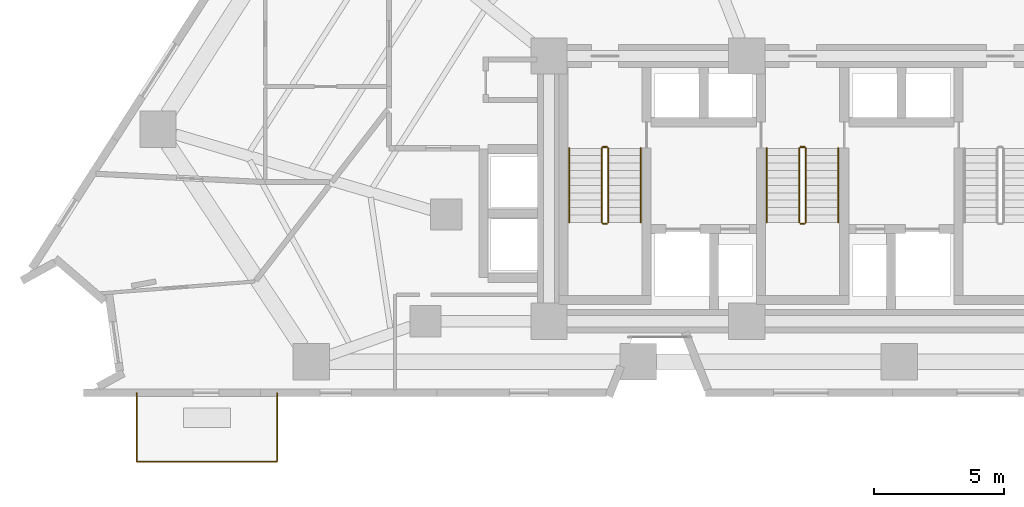
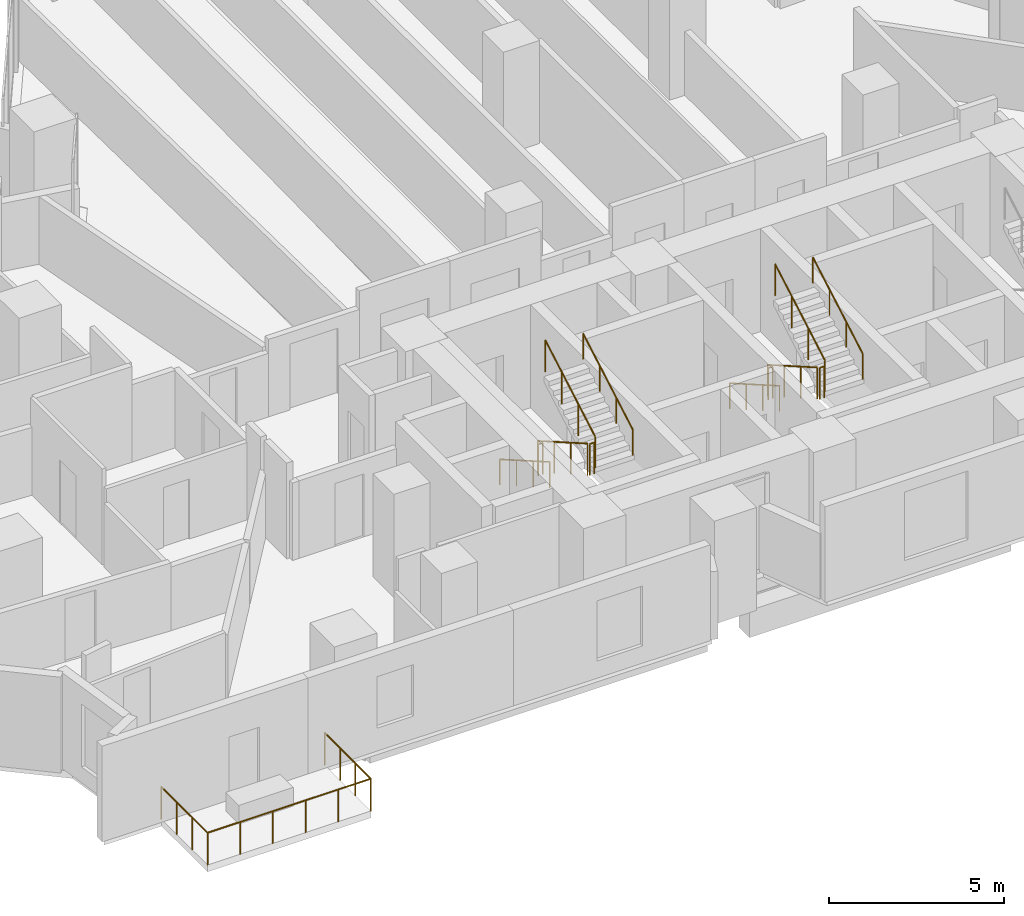
# One storey, part 12 of 15: 13 railings.
"""IFC4 building model written with IfcOpenShell, lengths in metres."""

from ifc_helpers import new_model, si_unit, direction, frame, origin, origin_2d, place, context, subcontext, project, spatial, circle, extrude, material, type_object, element, save


model = new_model("IFC4")

# Units and contexts
model_context = context("Model", 3, precision=1e-05, world=origin(), true_north=direction((0.0, 1.0)))
body_context = subcontext(model_context, "Body", "Model", "MODEL_VIEW")
ifc_project = project(units=[si_unit("LENGTHUNIT", "METRE"), si_unit("AREAUNIT", "SQUARE_METRE"), si_unit("VOLUMEUNIT", "CUBIC_METRE"), si_unit("PLANEANGLEUNIT", "RADIAN"), si_unit("MASSUNIT", "GRAM", prefix="KILO")], contexts=[model_context])

# Site, building, storey
site_placement = place(None, origin())
site = spatial("IfcSite", under=ifc_project, at=site_placement, CompositionType="ELEMENT")
building_placement = place(site_placement, origin())
building = spatial("IfcBuilding", under=site, at=building_placement, Name="Almagre Mirador Tower", CompositionType="ELEMENT")
storey_placement = place(building_placement, frame((0.0, 0.0, 31.800048828125)))
storey = spatial("IfcBuildingStorey", under=building, at=storey_placement, Name="L06", CompositionType="ELEMENT", Elevation=31.800048828125)

# Railings
ifc_material_1 = material(Name="Black anodized aluminium", Category="aluminium")
railing_type_1 = type_object("IfcRailingType", Name="RLG-BAL-1150", PredefinedType="BALUSTRADE", material=ifc_material_1)
railing_1_placement = place(storey_placement, frame((11.699951171875, 1.800048828125, 0.0)))
element("IfcRailing", 1, at=railing_1_placement, inside=storey, type_object=railing_type_1, Name="L06 south balcony balustrade 1", PredefinedType="BALUSTRADE", context=body_context, shape_type="SweptSolid", body=[
    extrude(circle(Radius=0.02392578125, at=origin_2d()), frame((0.0, 0.0, 1.1259765625), z_axis=(0.0, -1.0, 0.0), x_axis=(1.0, 0.0, 0.0)), (0.0, 0.0, 1.0), 2.650146484375),
    extrude(circle(Radius=0.02392578125, at=origin_2d()), frame((0.0, -2.650146484375, 1.1259765625), z_axis=(1.0, 0.0, 0.0), x_axis=(0.0, 1.0, 0.0)), (0.0, 0.0, 1.0), 5.400146484375),
    extrude(circle(Radius=0.02392578125, at=origin_2d()), frame((5.400146484375, -2.650146484375, 1.1259765625), z_axis=(0.0, 1.0, 0.0), x_axis=(-1.0, 0.0, 0.0)), (0.0, 0.0, 1.0), 2.650146484375),
    extrude(circle(Radius=0.02099609375, at=origin_2d()), origin(), (0.0, 0.0, 1.0), 1.101806640625),
    extrude(circle(Radius=0.02099609375, at=origin_2d()), frame((0.0, -0.88330078125, 0.0)), (0.0, 0.0, 1.0), 1.101806640625),
    extrude(circle(Radius=0.02099609375, at=origin_2d()), frame((0.0, -1.766845703125, 0.0)), (0.0, 0.0, 1.0), 1.101806640625),
    extrude(circle(Radius=0.02099609375, at=origin_2d()), frame((0.0, -2.650146484375, 0.0)), (0.0, 0.0, 1.0), 1.101806640625),
    extrude(circle(Radius=0.02099609375, at=origin_2d()), frame((1.080078125, -2.650146484375, 0.0)), (0.0, 0.0, 1.0), 1.101806640625),
    extrude(circle(Radius=0.02099609375, at=origin_2d()), frame((2.16015625, -2.650146484375, 0.0)), (0.0, 0.0, 1.0), 1.101806640625),
    extrude(circle(Radius=0.02099609375, at=origin_2d()), frame((3.239990234375, -2.650146484375, 0.0)), (0.0, 0.0, 1.0), 1.101806640625),
    extrude(circle(Radius=0.02099609375, at=origin_2d()), frame((4.320068359375, -2.650146484375, 0.0)), (0.0, 0.0, 1.0), 1.101806640625),
    extrude(circle(Radius=0.02099609375, at=origin_2d()), frame((5.400146484375, -2.650146484375, 0.0)), (0.0, 0.0, 1.0), 1.101806640625),
    extrude(circle(Radius=0.02099609375, at=origin_2d()), frame((5.400146484375, -1.766845703125, 0.0)), (0.0, 0.0, 1.0), 1.101806640625),
    extrude(circle(Radius=0.02099609375, at=origin_2d()), frame((5.400146484375, -0.88330078125, 0.0)), (0.0, 0.0, 1.0), 1.101806640625),
    extrude(circle(Radius=0.02099609375, at=origin_2d()), frame((5.400146484375, 0.0, 0.0)), (0.0, 0.0, 1.0), 1.101806640625),
])
ifc_material_2 = material(Name="Painted galvanized steel", Category="steel")
railing_type_2 = type_object("IfcRailingType", Name="RLG-GRD-1100", PredefinedType="GUARDRAIL", material=ifc_material_2)
railing_2_placement = place(storey_placement, frame((29.574951171875, 11.199951171875, 0.16357421875)))
element("IfcRailing", 2, at=railing_2_placement, inside=storey, type_object=railing_type_2, Name="L06 ST-1 stair guard 1", PredefinedType="GUARDRAIL", context=body_context, shape_type="SweptSolid", body=[
    extrude(circle(Radius=0.02392578125, at=origin_2d()), frame((0.0, 0.0, 1.09619140625), z_axis=(0.0, -0.867194282975, 0.497969954491), x_axis=(1.0, 0.0, 0.0)), (0.0, 0.0, 1.0), 3.286376953125),
    extrude(circle(Radius=0.02099609375, at=origin_2d()), origin(), (0.0, 0.0, 1.0), 1.072021484375),
    extrude(circle(Radius=0.02099609375, at=origin_2d()), frame((0.0, -0.949951171875, 0.54541015625)), (0.0, 0.0, 1.0), 1.072021484375),
    extrude(circle(Radius=0.02099609375, at=origin_2d()), frame((0.0, -1.89990234375, 1.091064453125)), (0.0, 0.0, 1.0), 1.072021484375),
    extrude(circle(Radius=0.02099609375, at=origin_2d()), frame((0.0, -2.849853515625, 1.636474609375)), (0.0, 0.0, 1.0), 1.072021484375),
])
railing_3_placement = place(storey_placement, frame((29.625, 8.300048828125, 1.800048828125)))
element("IfcRailing", 3, at=railing_3_placement, inside=storey, type_object=railing_type_2, Name="L06 ST-1 stair guard 2", PredefinedType="GUARDRAIL", context=body_context, shape_type="SweptSolid", body=[
    extrude(circle(Radius=0.02392578125, at=origin_2d()), frame((0.0, 0.0, 1.09619140625), z_axis=(1.0, 0.0, 0.0), x_axis=(0.0, 1.0, 0.0)), (0.0, 0.0, 1.0), 0.14990234375),
    extrude(circle(Radius=0.02099609375, at=origin_2d()), origin(), (0.0, 0.0, 1.0), 1.072021484375),
    extrude(circle(Radius=0.02099609375, at=origin_2d()), frame((0.14990234375, 0.0, 0.0)), (0.0, 0.0, 1.0), 1.072021484375),
])
railing_4_placement = place(storey_placement, frame((29.824951171875, 8.35009765625, 1.963623046875)))
element("IfcRailing", 4, at=railing_4_placement, inside=storey, type_object=railing_type_2, Name="L06 ST-1 stair guard 3", PredefinedType="GUARDRAIL", context=body_context, shape_type="SweptSolid", body=[
    extrude(circle(Radius=0.02392578125, at=origin_2d()), frame((0.0, 0.0, 1.09619140625), z_axis=(0.0, 0.867226363773, 0.497914082927), x_axis=(-1.0, 0.0, 0.0)), (0.0, 0.0, 1.0), 3.2861328125),
    extrude(circle(Radius=0.02099609375, at=origin_2d()), origin(), (0.0, 0.0, 1.0), 1.072021484375),
    extrude(circle(Radius=0.02099609375, at=origin_2d()), frame((0.0, 0.949951171875, 0.54541015625)), (0.0, 0.0, 1.0), 1.072021484375),
    extrude(circle(Radius=0.02099609375, at=origin_2d()), frame((0.0, 1.89990234375, 1.0908203125)), (0.0, 0.0, 1.0), 1.072021484375),
    extrude(circle(Radius=0.02099609375, at=origin_2d()), frame((0.0, 2.849853515625, 1.63623046875)), (0.0, 0.0, 1.0), 1.072021484375),
])
railing_5_placement = place(storey_placement, frame((29.625, 11.25, 0.0)))
element("IfcRailing", 5, at=railing_5_placement, inside=storey, type_object=railing_type_2, Name="L06 ST-1 stair guard 4", PredefinedType="GUARDRAIL", context=body_context, shape_type="SweptSolid", body=[
    extrude(circle(Radius=0.02392578125, at=origin_2d()), frame((0.0, 0.0, 1.09619140625), z_axis=(1.0, 0.0, 0.0), x_axis=(0.0, 1.0, 0.0)), (0.0, 0.0, 1.0), 0.14990234375),
    extrude(circle(Radius=0.02099609375, at=origin_2d()), origin(), (0.0, 0.0, 1.0), 1.072021484375),
    extrude(circle(Radius=0.02099609375, at=origin_2d()), frame((0.14990234375, 0.0, 0.0)), (0.0, 0.0, 1.0), 1.072021484375),
])
railing_6_placement = place(storey_placement, frame((37.175048828125, 11.199951171875, 0.16357421875)))
element("IfcRailing", 6, at=railing_6_placement, inside=storey, type_object=railing_type_2, Name="L06 ST-2 stair guard 1", PredefinedType="GUARDRAIL", context=body_context, shape_type="SweptSolid", body=[
    extrude(circle(Radius=0.02392578125, at=origin_2d()), frame((0.0, 0.0, 1.09619140625), z_axis=(0.0, -0.867194282975, 0.497969954491), x_axis=(1.0, 0.0, 0.0)), (0.0, 0.0, 1.0), 3.286376953125),
    extrude(circle(Radius=0.02099609375, at=origin_2d()), origin(), (0.0, 0.0, 1.0), 1.072021484375),
    extrude(circle(Radius=0.02099609375, at=origin_2d()), frame((0.0, -0.949951171875, 0.54541015625)), (0.0, 0.0, 1.0), 1.072021484375),
    extrude(circle(Radius=0.02099609375, at=origin_2d()), frame((0.0, -1.89990234375, 1.091064453125)), (0.0, 0.0, 1.0), 1.072021484375),
    extrude(circle(Radius=0.02099609375, at=origin_2d()), frame((0.0, -2.849853515625, 1.636474609375)), (0.0, 0.0, 1.0), 1.072021484375),
])
railing_7_placement = place(storey_placement, frame((37.22509765625, 8.300048828125, 1.800048828125)))
element("IfcRailing", 7, at=railing_7_placement, inside=storey, type_object=railing_type_2, Name="L06 ST-2 stair guard 2", PredefinedType="GUARDRAIL", context=body_context, shape_type="SweptSolid", body=[
    extrude(circle(Radius=0.02392578125, at=origin_2d()), frame((0.0, 0.0, 1.09619140625), z_axis=(1.0, 0.0, 0.0), x_axis=(0.0, 1.0, 0.0)), (0.0, 0.0, 1.0), 0.14990234375),
    extrude(circle(Radius=0.02099609375, at=origin_2d()), origin(), (0.0, 0.0, 1.0), 1.072021484375),
    extrude(circle(Radius=0.02099609375, at=origin_2d()), frame((0.14990234375, 0.0, 0.0)), (0.0, 0.0, 1.0), 1.072021484375),
])
railing_8_placement = place(storey_placement, frame((37.425048828125, 8.35009765625, 1.963623046875)))
element("IfcRailing", 8, at=railing_8_placement, inside=storey, type_object=railing_type_2, Name="L06 ST-2 stair guard 3", PredefinedType="GUARDRAIL", context=body_context, shape_type="SweptSolid", body=[
    extrude(circle(Radius=0.02392578125, at=origin_2d()), frame((0.0, 0.0, 1.09619140625), z_axis=(0.0, 0.867226363773, 0.497914082927), x_axis=(-1.0, 0.0, 0.0)), (0.0, 0.0, 1.0), 3.2861328125),
    extrude(circle(Radius=0.02099609375, at=origin_2d()), origin(), (0.0, 0.0, 1.0), 1.072021484375),
    extrude(circle(Radius=0.02099609375, at=origin_2d()), frame((0.0, 0.949951171875, 0.54541015625)), (0.0, 0.0, 1.0), 1.072021484375),
    extrude(circle(Radius=0.02099609375, at=origin_2d()), frame((0.0, 1.89990234375, 1.0908203125)), (0.0, 0.0, 1.0), 1.072021484375),
    extrude(circle(Radius=0.02099609375, at=origin_2d()), frame((0.0, 2.849853515625, 1.63623046875)), (0.0, 0.0, 1.0), 1.072021484375),
])
railing_9_placement = place(storey_placement, frame((37.22509765625, 11.25, 0.0)))
element("IfcRailing", 9, at=railing_9_placement, inside=storey, type_object=railing_type_2, Name="L06 ST-2 stair guard 4", PredefinedType="GUARDRAIL", context=body_context, shape_type="SweptSolid", body=[
    extrude(circle(Radius=0.02392578125, at=origin_2d()), frame((0.0, 0.0, 1.09619140625), z_axis=(1.0, 0.0, 0.0), x_axis=(0.0, 1.0, 0.0)), (0.0, 0.0, 1.0), 0.14990234375),
    extrude(circle(Radius=0.02099609375, at=origin_2d()), origin(), (0.0, 0.0, 1.0), 1.072021484375),
    extrude(circle(Radius=0.02099609375, at=origin_2d()), frame((0.14990234375, 0.0, 0.0)), (0.0, 0.0, 1.0), 1.072021484375),
])
ifc_material_3 = material(Name="Brushed stainless steel", Category="steel")
railing_type_3 = type_object("IfcRailingType", Name="RLG-HND-915", PredefinedType="HANDRAIL", material=ifc_material_3)
railing_10_placement = place(storey_placement, frame((28.324951171875, 11.199951171875, 0.16357421875)))
element("IfcRailing", 10, at=railing_10_placement, inside=storey, type_object=railing_type_3, Name="L06 ST-1 stair handrail 1", PredefinedType="HANDRAIL", context=body_context, shape_type="SweptSolid", body=[
    extrude(circle(Radius=0.02392578125, at=origin_2d()), frame((0.0, 0.0, 0.89111328125), z_axis=(0.0, -0.867194282975, 0.497969954491), x_axis=(1.0, 0.0, 0.0)), (0.0, 0.0, 1.0), 3.286376953125),
    extrude(circle(Radius=0.02099609375, at=origin_2d()), origin(), (0.0, 0.0, 1.0), 0.866943359375),
    extrude(circle(Radius=0.02099609375, at=origin_2d()), frame((0.0, -0.949951171875, 0.54541015625)), (0.0, 0.0, 1.0), 0.866943359375),
    extrude(circle(Radius=0.02099609375, at=origin_2d()), frame((0.0, -1.89990234375, 1.091064453125)), (0.0, 0.0, 1.0), 0.866943359375),
    extrude(circle(Radius=0.02099609375, at=origin_2d()), frame((0.0, -2.849853515625, 1.636474609375)), (0.0, 0.0, 1.0), 0.866943359375),
])
railing_11_placement = place(storey_placement, frame((31.074951171875, 8.35009765625, 1.963623046875)))
element("IfcRailing", 11, at=railing_11_placement, inside=storey, type_object=railing_type_3, Name="L06 ST-1 stair handrail 2", PredefinedType="HANDRAIL", context=body_context, shape_type="SweptSolid", body=[
    extrude(circle(Radius=0.02392578125, at=origin_2d()), frame((0.0, 0.0, 0.89111328125), z_axis=(0.0, 0.867226363773, 0.497914082927), x_axis=(-1.0, 0.0, 0.0)), (0.0, 0.0, 1.0), 3.2861328125),
    extrude(circle(Radius=0.02099609375, at=origin_2d()), origin(), (0.0, 0.0, 1.0), 0.866943359375),
    extrude(circle(Radius=0.02099609375, at=origin_2d()), frame((0.0, 0.949951171875, 0.54541015625)), (0.0, 0.0, 1.0), 0.866943359375),
    extrude(circle(Radius=0.02099609375, at=origin_2d()), frame((0.0, 1.89990234375, 1.0908203125)), (0.0, 0.0, 1.0), 0.866943359375),
    extrude(circle(Radius=0.02099609375, at=origin_2d()), frame((0.0, 2.849853515625, 1.63623046875)), (0.0, 0.0, 1.0), 0.866943359375),
])
railing_12_placement = place(storey_placement, frame((35.925048828125, 11.199951171875, 0.16357421875)))
element("IfcRailing", 12, at=railing_12_placement, inside=storey, type_object=railing_type_3, Name="L06 ST-2 stair handrail 1", PredefinedType="HANDRAIL", context=body_context, shape_type="SweptSolid", body=[
    extrude(circle(Radius=0.02392578125, at=origin_2d()), frame((0.0, 0.0, 0.89111328125), z_axis=(0.0, -0.867194282975, 0.497969954491), x_axis=(1.0, 0.0, 0.0)), (0.0, 0.0, 1.0), 3.286376953125),
    extrude(circle(Radius=0.02099609375, at=origin_2d()), origin(), (0.0, 0.0, 1.0), 0.866943359375),
    extrude(circle(Radius=0.02099609375, at=origin_2d()), frame((0.0, -0.949951171875, 0.54541015625)), (0.0, 0.0, 1.0), 0.866943359375),
    extrude(circle(Radius=0.02099609375, at=origin_2d()), frame((0.0, -1.89990234375, 1.091064453125)), (0.0, 0.0, 1.0), 0.866943359375),
    extrude(circle(Radius=0.02099609375, at=origin_2d()), frame((0.0, -2.849853515625, 1.636474609375)), (0.0, 0.0, 1.0), 0.866943359375),
])
railing_13_placement = place(storey_placement, frame((38.675048828125, 8.35009765625, 1.963623046875)))
element("IfcRailing", 13, at=railing_13_placement, inside=storey, type_object=railing_type_3, Name="L06 ST-2 stair handrail 2", PredefinedType="HANDRAIL", context=body_context, shape_type="SweptSolid", body=[
    extrude(circle(Radius=0.02392578125, at=origin_2d()), frame((0.0, 0.0, 0.89111328125), z_axis=(0.0, 0.867226363773, 0.497914082927), x_axis=(-1.0, 0.0, 0.0)), (0.0, 0.0, 1.0), 3.2861328125),
    extrude(circle(Radius=0.02099609375, at=origin_2d()), origin(), (0.0, 0.0, 1.0), 0.866943359375),
    extrude(circle(Radius=0.02099609375, at=origin_2d()), frame((0.0, 0.949951171875, 0.54541015625)), (0.0, 0.0, 1.0), 0.866943359375),
    extrude(circle(Radius=0.02099609375, at=origin_2d()), frame((0.0, 1.89990234375, 1.0908203125)), (0.0, 0.0, 1.0), 0.866943359375),
    extrude(circle(Radius=0.02099609375, at=origin_2d()), frame((0.0, 2.849853515625, 1.63623046875)), (0.0, 0.0, 1.0), 0.866943359375),
])

save(model, "model.ifc")
